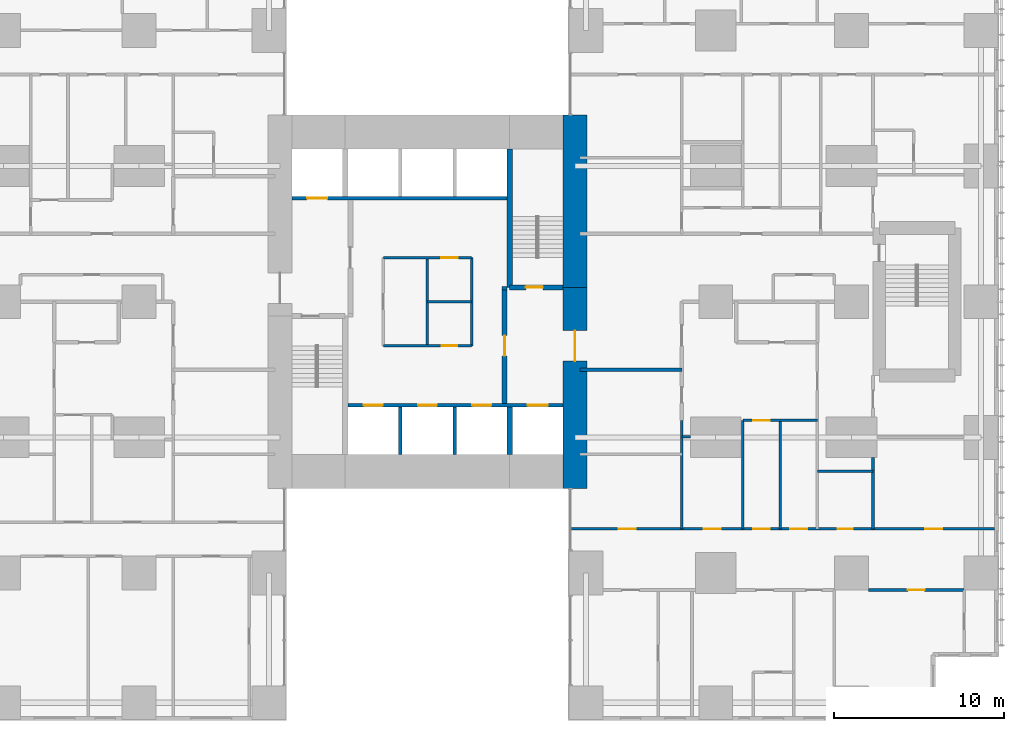
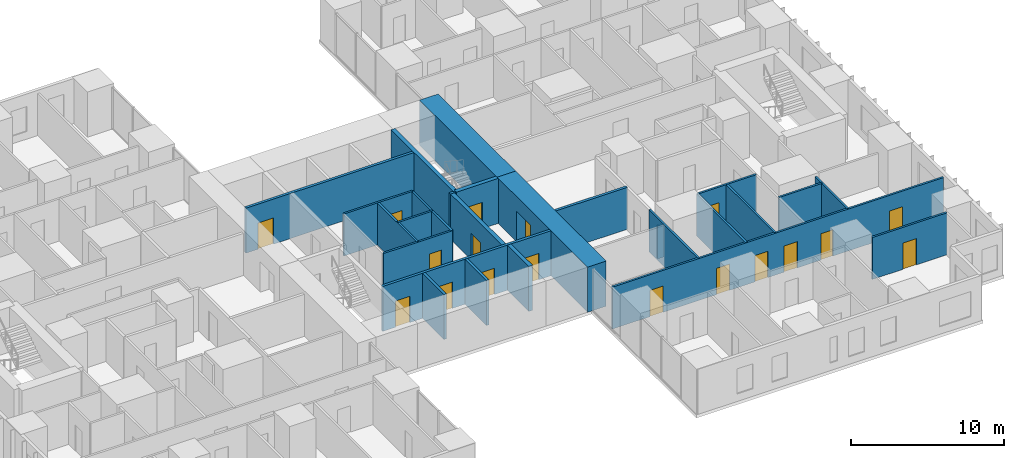
# One storey, part 15 of 20: 26 walls, 18 doors, 18 openings.
"""IFC4 building model written with IfcOpenShell, lengths in metres."""

from ifc_helpers import new_model, si_unit, direction, frame, frame_2d, origin, place, context, subcontext, project, spatial, rectangle, extrude, material, layer, layer_set, type_object, element, fill, save


model = new_model("IFC4")

# Units and contexts
model_context = context("Model", 3, precision=1e-05, world=origin(), true_north=direction((0.0, 1.0)))
body_context = subcontext(model_context, "Body", "Model", "MODEL_VIEW")
ifc_project = project(units=[si_unit("LENGTHUNIT", "METRE"), si_unit("AREAUNIT", "SQUARE_METRE"), si_unit("VOLUMEUNIT", "CUBIC_METRE"), si_unit("PLANEANGLEUNIT", "RADIAN"), si_unit("MASSUNIT", "GRAM", prefix="KILO")], contexts=[model_context])

# Site, building, storey
site_placement = place(None, origin())
site = spatial("IfcSite", under=ifc_project, at=site_placement, CompositionType="ELEMENT")
building_placement = place(site_placement, origin())
building = spatial("IfcBuilding", under=site, at=building_placement, Name="Cleftline Residences", CompositionType="ELEMENT")
storey_placement = place(building_placement, frame((0.0, 0.0, 72.800048828125)))
storey = spatial("IfcBuildingStorey", under=building, at=storey_placement, Name="L18", CompositionType="ELEMENT", Elevation=72.800048828125)

# Wall, opening, door
ifc_material_1 = material(Name="Concrete B70", Category="concrete")
ifc_layer_1 = layer(ifc_material_1, 1.39990234375)
ifc_layer_set_1 = layer_set([ifc_layer_1], Name="CORE WALL 1400")
wall_type_1 = type_object("IfcWallType", Name="CORE WALL 1400", PredefinedType="SHEAR", material=ifc_layer_set_1)
wall_1_placement = place(storey_placement, frame((41.699951171875, 13.0, 0.0), z_axis=(0.0, 0.0, 1.0), x_axis=(0.0, 1.0, 0.0)))
wall_1 = element("IfcWall", 1, at=wall_1_placement, inside=storey, type_object=wall_type_1, Name="Core wall E", PredefinedType="SHEAR", context=body_context, shape_type="SweptSolid", body=[
    extrude(rectangle(XDim=11.85009765625, YDim=1.39990234375, at=frame_2d((5.925048828125, 0.0))), origin(), (0.0, 0.0, 1.0), 3.599853515625),
])
opening_1_placement = place(wall_1_placement, frame((7.5, 0.0, 0.0)))
opening_1 = element("IfcOpeningElement", 2, at=opening_1_placement, cuts=wall_1, Name="Opening D7", PredefinedType="OPENING", context=body_context, shape_type="SweptSolid", body=[
    extrude(rectangle(XDim=1.800048828125, YDim=2.39990234375, at=frame_2d((0.89990234375, 1.199951171875))), frame((0.0, 0.7099609375, 0.0), z_axis=(0.0, -1.0, 0.0), x_axis=(1.0, 0.0, 0.0)), (0.0, 0.0, 1.0), 1.419921875),
])
ifc_material_2 = material(Name="Steel", Category="steel")
door_type_1 = type_object("IfcDoorType", Name="WING DOOR 1800X2400", OperationType="DOUBLE_DOOR_DOUBLE_SWING", PredefinedType="DOOR", material=ifc_material_2)
door_1_placement = place(opening_1_placement, origin())
door_1 = element("IfcDoor", 3, at=door_1_placement, inside=storey, type_object=door_type_1, Name="East wing door", OperationType="DOUBLE_DOOR_DOUBLE_SWING", OverallHeight=2.39990234375, OverallWidth=1.800048828125, PredefinedType="DOOR", context=body_context, shape_type="SweptSolid", body=[
    extrude(rectangle(XDim=1.800048828125, YDim=2.39990234375, at=frame_2d((0.89990234375, 1.199951171875))), frame((0.0, 0.02490234375, 0.0), z_axis=(0.0, -1.0, 0.0), x_axis=(1.0, 0.0, 0.0)), (0.0, 0.0, 1.0), 0.050048828125),
])
fill(opening_1, door_1)

# Walls
wall_2_placement = place(storey_placement, frame((41.699951171875, 24.85009765625, 0.0), z_axis=(0.0, 0.0, 1.0), x_axis=(0.0, 1.0, 0.0)))
element("IfcWall", 4, at=wall_2_placement, inside=storey, type_object=wall_type_1, Name="Core wall E1", PredefinedType="SHEAR", context=body_context, shape_type="SweptSolid", body=[
    extrude(rectangle(XDim=10.14990234375, YDim=1.39990234375, at=frame_2d((5.074951171875, 0.0))), origin(), (0.0, 0.0, 1.0), 3.599853515625),
])
ifc_material_3 = material(Name="Concrete B70", Category="concrete")
ifc_layer_2 = layer(ifc_material_3, 0.300048828125)
ifc_layer_set_2 = layer_set([ifc_layer_2], Name="CORE WALL 300")
wall_type_2 = type_object("IfcWallType", Name="CORE WALL 300", PredefinedType="SHEAR", material=ifc_layer_set_2)
wall_3_placement = place(storey_placement, frame((37.85009765625, 24.85009765625, 0.0), z_axis=(0.0, 0.0, 1.0), x_axis=(0.0, 1.0, 0.0)))
element("IfcWall", 5, at=wall_3_placement, inside=storey, type_object=wall_type_2, Name="Core wall SB-W", PredefinedType="SHEAR", context=body_context, shape_type="SweptSolid", body=[
    extrude(rectangle(XDim=8.14990234375, YDim=0.300048828125, at=frame_2d((4.074951171875, 0.0))), origin(), (0.0, 0.0, 1.0), 3.599853515625),
])

# Wall, opening, door
wall_4_placement = place(storey_placement, frame((37.85009765625, 24.85009765625, 0.0), z_axis=(0.0, 0.0, 1.0), x_axis=(1.0, 0.0, 0.0)))
wall_4 = element("IfcWall", 6, at=wall_4_placement, inside=storey, type_object=wall_type_2, Name="Core wall SB-S", PredefinedType="SHEAR", context=body_context, shape_type="SweptSolid", body=[
    extrude(rectangle(XDim=3.14990234375, YDim=0.300048828125, at=frame_2d((1.574951171875, 0.0))), origin(), (0.0, 0.0, 1.0), 3.599853515625),
])
opening_2_placement = place(wall_4_placement, frame((0.949951171875, 0.0, 0.0)))
opening_2 = element("IfcOpeningElement", 7, at=opening_2_placement, cuts=wall_4, Name="Opening D5", PredefinedType="OPENING", context=body_context, shape_type="SweptSolid", body=[
    extrude(rectangle(XDim=1.0, YDim=2.10009765625, at=frame_2d((0.5, 1.050048828125))), frame((0.0, 0.159912109375, 0.0), z_axis=(0.0, -1.0, 0.0), x_axis=(1.0, 0.0, 0.0)), (0.0, 0.0, 1.0), 0.320068359375),
])
ifc_material_4 = material(Name="Steel", Category="steel")
door_type_2 = type_object("IfcDoorType", Name="STAIR DOOR 1000X2100", OperationType="SINGLE_SWING_LEFT", PredefinedType="DOOR", material=ifc_material_4)
door_2_placement = place(opening_2_placement, origin())
door_2 = element("IfcDoor", 8, at=door_2_placement, inside=storey, type_object=door_type_2, Name="Stair B door", OperationType="SINGLE_SWING_RIGHT", OverallHeight=2.10009765625, OverallWidth=1.0, PredefinedType="DOOR", context=body_context, shape_type="SweptSolid", body=[
    extrude(rectangle(XDim=1.0, YDim=2.10009765625, at=frame_2d((0.5, 1.050048828125))), frame((0.0, 0.02490234375, 0.0), z_axis=(0.0, -1.0, 0.0), x_axis=(1.0, 0.0, 0.0)), (0.0, 0.0, 1.0), 0.050048828125),
])
fill(opening_2, door_2)

# Walls
wall_5_placement = place(storey_placement, frame((37.85009765625, 15.0, 0.0), z_axis=(0.0, 0.0, 1.0), x_axis=(0.0, 1.0, 0.0)))
element("IfcWall", 9, at=wall_5_placement, inside=storey, type_object=wall_type_2, Name="Lift shaft wall", PredefinedType="SHEAR", context=body_context, shape_type="SweptSolid", body=[
    extrude(rectangle(XDim=2.800048828125, YDim=0.300048828125, at=frame_2d((1.39990234375, 0.0))), origin(), (0.0, 0.0, 1.0), 3.599853515625),
])
ifc_material_5 = material(Name="Concrete blockwork, fire rated", Category="masonry")
ifc_layer_3 = layer(ifc_material_5, 0.199951171875)
ifc_layer_set_3 = layer_set([ifc_layer_3], Name="FIRE WALL 200")
wall_type_3 = type_object("IfcWallType", Name="FIRE WALL 200", PredefinedType="PARTITIONING", material=ifc_layer_set_3)
wall_6_placement = place(storey_placement, frame((42.0, 20.0, 0.0), z_axis=(0.0, 0.0, 1.0), x_axis=(1.0, 0.0, 0.0)))
element("IfcWall", 10, at=wall_6_placement, inside=storey, type_object=wall_type_3, Name="Fire separating wall", PredefinedType="PARTITIONING", context=body_context, shape_type="SweptSolid", body=[
    extrude(rectangle(XDim=6.0, YDim=0.199951171875, at=frame_2d((3.0, 0.0))), origin(), (0.0, 0.0, 1.0), 3.349853515625),
])
wall_7_placement = place(storey_placement, frame((37.39990234375, 24.800048828125, 0.0), z_axis=(0.0, 0.0, 1.0), x_axis=(1.0, 0.0, 0.0)))
element("IfcWall", 11, at=wall_7_placement, inside=storey, type_object=wall_type_3, Name="Fire separating wall", PredefinedType="PARTITIONING", context=body_context, shape_type="SweptSolid", body=[
    extrude(rectangle(XDim=0.300048828125, YDim=0.199951171875, at=frame_2d((0.14990234375, 0.0))), origin(), (0.0, 0.0, 1.0), 3.599853515625),
])

# Wall, opening, door
ifc_material_6 = material(Name="Gypsum board on steel studs", Category="steel")
ifc_layer_4 = layer(ifc_material_6, 0.14990234375)
ifc_layer_set_4 = layer_set([ifc_layer_4], Name="PARTITION 150")
wall_type_4 = type_object("IfcWallType", Name="PARTITION 150", PredefinedType="PARTITIONING", material=ifc_layer_set_4)
wall_8_placement = place(storey_placement, frame((59.0, 7.0, 0.0), z_axis=(0.0, 0.0, 1.0), x_axis=(1.0, 0.0, 0.0)))
wall_8 = element("IfcWall", 12, at=wall_8_placement, inside=storey, type_object=wall_type_4, Name="Partition", PredefinedType="PARTITIONING", context=body_context, shape_type="SweptSolid", body=[
    extrude(rectangle(XDim=5.64990234375, YDim=0.14990234375, at=frame_2d((2.824951171875, 0.0))), origin(), (0.0, 0.0, 1.0), 3.349853515625),
])
opening_3_placement = place(wall_8_placement, frame((2.324951171875, 0.0, 0.0)))
opening_3 = element("IfcOpeningElement", 13, at=opening_3_placement, cuts=wall_8, Name="Opening D2", PredefinedType="OPENING", context=body_context, shape_type="SweptSolid", body=[
    extrude(rectangle(XDim=1.0, YDim=2.10009765625, at=frame_2d((0.5, 1.050048828125))), frame((0.0, 0.0849609375, 0.0), z_axis=(0.0, -1.0, 0.0), x_axis=(1.0, 0.0, 0.0)), (0.0, 0.0, 1.0), 0.169921875),
])
ifc_material_7 = material(Name="Timber veneer on solid core", Category="wood")
door_type_3 = type_object("IfcDoorType", Name="DOOR 1000X2100", OperationType="SINGLE_SWING_LEFT", PredefinedType="DOOR", material=ifc_material_7)
door_3_placement = place(opening_3_placement, origin())
door_3 = element("IfcDoor", 14, at=door_3_placement, inside=storey, type_object=door_type_3, Name="Door to master bedroom", OperationType="SINGLE_SWING_LEFT", OverallHeight=2.10009765625, OverallWidth=1.0, PredefinedType="DOOR", context=body_context, shape_type="SweptSolid", body=[
    extrude(rectangle(XDim=1.0, YDim=2.10009765625, at=frame_2d((0.5, 1.050048828125))), frame((0.0, 0.02490234375, 0.0), z_axis=(0.0, -1.0, 0.0), x_axis=(1.0, 0.0, 0.0)), (0.0, 0.0, 1.0), 0.050048828125),
])
fill(opening_3, door_3)

# Wall, openings, doors
wall_9_placement = place(storey_placement, frame((41.43896484375, 10.60009765625, 0.0), z_axis=(0.0, 0.0, 1.0), x_axis=(1.0, 0.0, 0.0)))
wall_9 = element("IfcWall", 15, at=wall_9_placement, inside=storey, type_object=wall_type_4, Name="Partition", PredefinedType="PARTITIONING", context=body_context, shape_type="SweptSolid", body=[
    extrude(rectangle(XDim=25.010986328125, YDim=0.14990234375, at=frame_2d((12.50537109375, 0.0))), origin(), (0.0, 0.0, 1.0), 3.349853515625),
])
opening_4_placement = place(wall_9_placement, frame((10.760986328125, 0.0, 0.0)))
opening_4 = element("IfcOpeningElement", 16, at=opening_4_placement, cuts=wall_9, Name="Opening D2", PredefinedType="OPENING", context=body_context, shape_type="SweptSolid", body=[
    extrude(rectangle(XDim=1.0, YDim=2.10009765625, at=frame_2d((0.5, 1.050048828125))), frame((0.0, 0.0849609375, 0.0), z_axis=(0.0, -1.0, 0.0), x_axis=(1.0, 0.0, 0.0)), (0.0, 0.0, 1.0), 0.169921875),
])
opening_5_placement = place(wall_9_placement, frame((20.923583984375, 0.0, 0.0)))
opening_5 = element("IfcOpeningElement", 17, at=opening_5_placement, cuts=wall_9, Name="Opening D2", PredefinedType="OPENING", context=body_context, shape_type="SweptSolid", body=[
    extrude(rectangle(XDim=1.0, YDim=2.10009765625, at=frame_2d((0.5, 1.050048828125))), frame((0.0, 0.0849609375, 0.0), z_axis=(0.0, -1.0, 0.0), x_axis=(1.0, 0.0, 0.0)), (0.0, 0.0, 1.0), 0.169921875),
])
opening_6_placement = place(wall_9_placement, frame((15.74853515625, 0.0, 0.0)))
opening_6 = element("IfcOpeningElement", 18, at=opening_6_placement, cuts=wall_9, Name="Opening D1", PredefinedType="OPENING", context=body_context, shape_type="SweptSolid", body=[
    extrude(rectangle(XDim=0.89990234375, YDim=2.10009765625, at=frame_2d((0.449951171875, 1.050048828125))), frame((0.0, 0.0849609375, 0.0), z_axis=(0.0, -1.0, 0.0), x_axis=(1.0, 0.0, 0.0)), (0.0, 0.0, 1.0), 0.169921875),
])
opening_7_placement = place(wall_9_placement, frame((12.9609375, 0.0, 0.0)))
opening_7 = element("IfcOpeningElement", 19, at=opening_7_placement, cuts=wall_9, Name="Opening D2", PredefinedType="OPENING", context=body_context, shape_type="SweptSolid", body=[
    extrude(rectangle(XDim=1.0, YDim=2.10009765625, at=frame_2d((0.5, 1.050048828125))), frame((0.0, 0.0849609375, 0.0), z_axis=(0.0, -1.0, 0.0), x_axis=(1.0, 0.0, 0.0)), (0.0, 0.0, 1.0), 0.169921875),
])
opening_8_placement = place(wall_9_placement, frame((7.861083984375, 0.0, 0.0)))
opening_8 = element("IfcOpeningElement", 20, at=opening_8_placement, cuts=wall_9, Name="Opening D2", PredefinedType="OPENING", context=body_context, shape_type="SweptSolid", body=[
    extrude(rectangle(XDim=1.0, YDim=2.10009765625, at=frame_2d((0.5, 1.050048828125))), frame((0.0, 0.0849609375, 0.0), z_axis=(0.0, -1.0, 0.0), x_axis=(1.0, 0.0, 0.0)), (0.0, 0.0, 1.0), 0.169921875),
])
opening_9_placement = place(wall_9_placement, frame((2.8359375, 0.0, 0.0)))
opening_9 = element("IfcOpeningElement", 21, at=opening_9_placement, cuts=wall_9, Name="Opening D2", PredefinedType="OPENING", context=body_context, shape_type="SweptSolid", body=[
    extrude(rectangle(XDim=1.0, YDim=2.10009765625, at=frame_2d((0.5, 1.050048828125))), frame((0.0, 0.0849609375, 0.0), z_axis=(0.0, -1.0, 0.0), x_axis=(1.0, 0.0, 0.0)), (0.0, 0.0, 1.0), 0.169921875),
])
door_4_placement = place(opening_4_placement, origin())
door_4 = element("IfcDoor", 22, at=door_4_placement, inside=storey, type_object=door_type_3, Name="Door to residence hall", OperationType="SINGLE_SWING_RIGHT", OverallHeight=2.10009765625, OverallWidth=1.0, PredefinedType="DOOR", context=body_context, shape_type="SweptSolid", body=[
    extrude(rectangle(XDim=1.0, YDim=2.10009765625, at=frame_2d((0.5, 1.050048828125))), frame((0.0, 0.02490234375, 0.0), z_axis=(0.0, -1.0, 0.0), x_axis=(1.0, 0.0, 0.0)), (0.0, 0.0, 1.0), 0.050048828125),
])
fill(opening_4, door_4)
door_5_placement = place(opening_5_placement, origin())
door_5 = element("IfcDoor", 23, at=door_5_placement, inside=storey, type_object=door_type_3, Name="Door to sea-view living room", OperationType="SINGLE_SWING_LEFT", OverallHeight=2.10009765625, OverallWidth=1.0, PredefinedType="DOOR", context=body_context, shape_type="SweptSolid", body=[
    extrude(rectangle(XDim=1.0, YDim=2.10009765625, at=frame_2d((0.5, 1.050048828125))), frame((0.0, 0.02490234375, 0.0), z_axis=(0.0, -1.0, 0.0), x_axis=(1.0, 0.0, 0.0)), (0.0, 0.0, 1.0), 0.050048828125),
])
fill(opening_5, door_5)
door_6_placement = place(opening_7_placement, origin())
door_6 = element("IfcDoor", 24, at=door_6_placement, inside=storey, type_object=door_type_3, Name="Door to show kitchen", OperationType="SINGLE_SWING_LEFT", OverallHeight=2.10009765625, OverallWidth=1.0, PredefinedType="DOOR", context=body_context, shape_type="SweptSolid", body=[
    extrude(rectangle(XDim=1.0, YDim=2.10009765625, at=frame_2d((0.5, 1.050048828125))), frame((0.0, 0.02490234375, 0.0), z_axis=(0.0, -1.0, 0.0), x_axis=(1.0, 0.0, 0.0)), (0.0, 0.0, 1.0), 0.050048828125),
])
fill(opening_7, door_6)
door_7_placement = place(opening_8_placement, origin())
door_7 = element("IfcDoor", 25, at=door_7_placement, inside=storey, type_object=door_type_3, Name="Door to wet kitchen", OperationType="SINGLE_SWING_RIGHT", OverallHeight=2.10009765625, OverallWidth=1.0, PredefinedType="DOOR", context=body_context, shape_type="SweptSolid", body=[
    extrude(rectangle(XDim=1.0, YDim=2.10009765625, at=frame_2d((0.5, 1.050048828125))), frame((0.0, 0.02490234375, 0.0), z_axis=(0.0, -1.0, 0.0), x_axis=(1.0, 0.0, 0.0)), (0.0, 0.0, 1.0), 0.050048828125),
])
fill(opening_8, door_7)
door_8_placement = place(opening_9_placement, origin())
door_8 = element("IfcDoor", 26, at=door_8_placement, inside=storey, type_object=door_type_3, Name="Door to study", OperationType="SINGLE_SWING_RIGHT", OverallHeight=2.10009765625, OverallWidth=1.0, PredefinedType="DOOR", context=body_context, shape_type="SweptSolid", body=[
    extrude(rectangle(XDim=1.0, YDim=2.10009765625, at=frame_2d((0.5, 1.050048828125))), frame((0.0, 0.02490234375, 0.0), z_axis=(0.0, -1.0, 0.0), x_axis=(1.0, 0.0, 0.0)), (0.0, 0.0, 1.0), 0.050048828125),
])
fill(opening_9, door_8)
ifc_material_8 = material(Name="Timber veneer on solid core", Category="wood")
door_type_4 = type_object("IfcDoorType", Name="DOOR 900X2100", OperationType="SINGLE_SWING_LEFT", PredefinedType="DOOR", material=ifc_material_8)
door_9_placement = place(opening_6_placement, origin())
door_9 = element("IfcDoor", 27, at=door_9_placement, inside=storey, type_object=door_type_4, Name="Door to master bathroom", OperationType="SINGLE_SWING_LEFT", OverallHeight=2.10009765625, OverallWidth=0.89990234375, PredefinedType="DOOR", context=body_context, shape_type="SweptSolid", body=[
    extrude(rectangle(XDim=0.89990234375, YDim=2.10009765625, at=frame_2d((0.449951171875, 1.050048828125))), frame((0.0, 0.02490234375, 0.0), z_axis=(0.0, -1.0, 0.0), x_axis=(1.0, 0.0, 0.0)), (0.0, 0.0, 1.0), 0.050048828125),
])
fill(opening_6, door_9)

# Walls
wall_10_placement = place(storey_placement, frame((56.0, 14.0, 0.0), z_axis=(0.0, 0.0, 1.0), x_axis=(1.0, 0.0, 0.0)))
element("IfcWall", 28, at=wall_10_placement, inside=storey, type_object=wall_type_4, Name="Partition", PredefinedType="PARTITIONING", context=body_context, shape_type="SweptSolid", body=[
    extrude(rectangle(XDim=3.27490234375, YDim=0.14990234375, at=frame_2d((1.637451171875, 0.0))), origin(), (0.0, 0.0, 1.0), 3.349853515625),
])
wall_11_placement = place(storey_placement, frame((48.0, 16.050048828125, 0.0), z_axis=(0.0, 0.0, 1.0), x_axis=(1.0, 0.0, 0.0)))
element("IfcWall", 29, at=wall_11_placement, inside=storey, type_object=wall_type_4, Name="Partition", PredefinedType="PARTITIONING", context=body_context, shape_type="SweptSolid", body=[
    extrude(rectangle(XDim=0.5, YDim=0.14990234375, at=frame_2d((0.25, 0.0))), origin(), (0.0, 0.0, 1.0), 2.634033203125),
])

# Wall, opening, door
wall_12_placement = place(storey_placement, frame((51.60009765625, 17.0, 0.0), z_axis=(0.0, 0.0, 1.0), x_axis=(1.0, 0.0, 0.0)))
wall_12 = element("IfcWall", 30, at=wall_12_placement, inside=storey, type_object=wall_type_4, Name="Partition", PredefinedType="PARTITIONING", context=body_context, shape_type="SweptSolid", body=[
    extrude(rectangle(XDim=4.39990234375, YDim=0.14990234375, at=frame_2d((2.199951171875, 0.0))), origin(), (0.0, 0.0, 1.0), 3.349853515625),
])
opening_10_placement = place(wall_12_placement, frame((0.60009765625, 0.0, 0.0)))
opening_10 = element("IfcOpeningElement", 31, at=opening_10_placement, cuts=wall_12, Name="Opening D2", PredefinedType="OPENING", context=body_context, shape_type="SweptSolid", body=[
    extrude(rectangle(XDim=1.0, YDim=2.10009765625, at=frame_2d((0.5, 1.050048828125))), frame((0.0, 0.0849609375, 0.0), z_axis=(0.0, -1.0, 0.0), x_axis=(1.0, 0.0, 0.0)), (0.0, 0.0, 1.0), 0.169921875),
])
door_10_placement = place(opening_10_placement, origin())
door_10 = element("IfcDoor", 32, at=door_10_placement, inside=storey, type_object=door_type_3, Name="Door to residence passage", OperationType="SINGLE_SWING_RIGHT", OverallHeight=2.10009765625, OverallWidth=1.0, PredefinedType="DOOR", context=body_context, shape_type="SweptSolid", body=[
    extrude(rectangle(XDim=1.0, YDim=2.10009765625, at=frame_2d((0.5, 1.050048828125))), frame((0.0, 0.02490234375, 0.0), z_axis=(0.0, -1.0, 0.0), x_axis=(1.0, 0.0, 0.0)), (0.0, 0.0, 1.0), 0.050048828125),
])
fill(opening_10, door_10)

# Walls
for number, where, z_axis, x_axis, name in (
    (33, (48.0, 10.60009765625, 0.0), (0.0, 0.0, 1.0), (0.0, 1.0, 0.0), "Partition"),
    (34, (51.60009765625, 10.60009765625, 0.0), (0.0, 0.0, 1.0), (0.0, 1.0, 0.0), "Partition"),
    (35, (53.800048828125, 10.60009765625, 0.0), (0.0, 0.0, 1.0), (0.0, 1.0, 0.0), "Partition"),
):
    element("IfcWall", number, at=place(storey_placement, frame(where, z_axis=z_axis, x_axis=x_axis)), inside=storey, type_object=wall_type_4, Name=name, PredefinedType="PARTITIONING", context=body_context, shape_type="SweptSolid", body=[
        extrude(rectangle(XDim=6.39990234375, YDim=0.14990234375, at=frame_2d((3.199951171875, 0.0))), origin(), (0.0, 0.0, 1.0), 3.349853515625),
    ])
wall_13_placement = place(storey_placement, frame((59.27490234375, 10.60009765625, 0.0), z_axis=(0.0, 0.0, 1.0), x_axis=(0.0, 1.0, 0.0)))
element("IfcWall", 36, at=wall_13_placement, inside=storey, type_object=wall_type_4, Name="Partition", PredefinedType="PARTITIONING", context=body_context, shape_type="SweptSolid", body=[
    extrude(rectangle(XDim=4.199951171875, YDim=0.14990234375, at=frame_2d((2.10009765625, 0.0))), origin(), (0.0, 0.0, 1.0), 3.349853515625),
])

# Wall, opening, door
ifc_material_9 = material(Name="Fire-resisting gypsum board on steel studs", Category="steel")
ifc_layer_5 = layer(ifc_material_9, 0.14990234375)
ifc_layer_set_5 = layer_set([ifc_layer_5], Name="PARTITION 150 EI 60")
wall_type_5 = type_object("IfcWallType", Name="PARTITION 150 EI 60", PredefinedType="PARTITIONING", material=ifc_layer_set_5)
wall_14_placement = place(storey_placement, frame((30.39990234375, 21.39990234375, 0.0), z_axis=(0.0, 0.0, 1.0), x_axis=(1.0, 0.0, 0.0)))
wall_14 = element("IfcWall", 37, at=wall_14_placement, inside=storey, type_object=wall_type_5, Name="Core room partition", PredefinedType="PARTITIONING", context=body_context, shape_type="SweptSolid", body=[
    extrude(rectangle(XDim=5.2001953125, YDim=0.14990234375, at=frame_2d((2.60009765625, 0.0))), origin(), (0.0, 0.0, 1.0), 3.349853515625),
])
opening_11_placement = place(wall_14_placement, frame((3.449951171875, 0.0, 0.0)))
opening_11 = element("IfcOpeningElement", 38, at=opening_11_placement, cuts=wall_14, Name="Opening D1F30", PredefinedType="OPENING", context=body_context, shape_type="SweptSolid", body=[
    extrude(rectangle(XDim=0.89990234375, YDim=2.10009765625, at=frame_2d((0.449951171875, 1.050048828125))), frame((0.0, 0.0849609375, 0.0), z_axis=(0.0, -1.0, 0.0), x_axis=(1.0, 0.0, 0.0)), (0.0, 0.0, 1.0), 0.169921875),
])
ifc_material_10 = material(Name="Timber veneer on solid core", Category="wood")
door_type_5 = type_object("IfcDoorType", Name="DOOR 900X2100 EI 30", OperationType="SINGLE_SWING_LEFT", PredefinedType="DOOR", material=ifc_material_10)
door_11_placement = place(opening_11_placement, origin())
door_11 = element("IfcDoor", 39, at=door_11_placement, inside=storey, type_object=door_type_5, Name="Door to guest pantry", OperationType="SINGLE_SWING_LEFT", OverallHeight=2.10009765625, OverallWidth=0.89990234375, PredefinedType="DOOR", context=body_context, shape_type="SweptSolid", body=[
    extrude(rectangle(XDim=0.89990234375, YDim=2.10009765625, at=frame_2d((0.449951171875, 1.050048828125))), frame((0.0, 0.02490234375, 0.0), z_axis=(0.0, -1.0, 0.0), x_axis=(1.0, 0.0, 0.0)), (0.0, 0.0, 1.0), 0.050048828125),
])
fill(opening_11, door_11)

wall_15_placement = place(storey_placement, frame((30.39990234375, 26.60009765625, 0.0), z_axis=(0.0, 0.0, 1.0), x_axis=(1.0, 0.0, 0.0)))
wall_15 = element("IfcWall", 40, at=wall_15_placement, inside=storey, type_object=wall_type_5, Name="Core room partition", PredefinedType="PARTITIONING", context=body_context, shape_type="SweptSolid", body=[
    extrude(rectangle(XDim=5.2001953125, YDim=0.14990234375, at=frame_2d((2.60009765625, 0.0))), origin(), (0.0, 0.0, 1.0), 3.349853515625),
])
opening_12_placement = place(wall_15_placement, frame((3.39990234375, 0.0, 0.0)))
opening_12 = element("IfcOpeningElement", 41, at=opening_12_placement, cuts=wall_15, Name="Opening D2F60", PredefinedType="OPENING", context=body_context, shape_type="SweptSolid", body=[
    extrude(rectangle(XDim=1.0, YDim=2.10009765625, at=frame_2d((0.5, 1.050048828125))), frame((0.0, 0.0849609375, 0.0), z_axis=(0.0, -1.0, 0.0), x_axis=(1.0, 0.0, 0.0)), (0.0, 0.0, 1.0), 0.169921875),
])
ifc_material_11 = material(Name="Timber veneer on solid core", Category="wood")
door_type_6 = type_object("IfcDoorType", Name="DOOR 1000X2100 EI 60", OperationType="SINGLE_SWING_LEFT", PredefinedType="DOOR", material=ifc_material_11)
door_12_placement = place(opening_12_placement, origin())
door_12 = element("IfcDoor", 42, at=door_12_placement, inside=storey, type_object=door_type_6, Name="Door to communications room", OperationType="SINGLE_SWING_LEFT", OverallHeight=2.10009765625, OverallWidth=1.0, PredefinedType="DOOR", context=body_context, shape_type="SweptSolid", body=[
    extrude(rectangle(XDim=1.0, YDim=2.10009765625, at=frame_2d((0.5, 1.050048828125))), frame((0.0, 0.02490234375, 0.0), z_axis=(0.0, -1.0, 0.0), x_axis=(1.0, 0.0, 0.0)), (0.0, 0.0, 1.0), 0.050048828125),
])
fill(opening_12, door_12)

# Walls
wall_16_placement = place(storey_placement, frame((35.60009765625, 21.39990234375, 0.0), z_axis=(0.0, 0.0, 1.0), x_axis=(0.0, 1.0, 0.0)))
element("IfcWall", 43, at=wall_16_placement, inside=storey, type_object=wall_type_5, Name="Core room partition", PredefinedType="PARTITIONING", context=body_context, shape_type="SweptSolid", body=[
    extrude(rectangle(XDim=5.2001953125, YDim=0.14990234375, at=frame_2d((2.60009765625, 0.0))), origin(), (0.0, 0.0, 1.0), 3.349853515625),
])
wall_17_placement = place(storey_placement, frame((33.0, 24.0, 0.0), z_axis=(0.0, 0.0, 1.0), x_axis=(1.0, 0.0, 0.0)))
element("IfcWall", 44, at=wall_17_placement, inside=storey, type_object=wall_type_5, Name="Core room partition", PredefinedType="PARTITIONING", context=body_context, shape_type="SweptSolid", body=[
    extrude(rectangle(XDim=2.60009765625, YDim=0.14990234375, at=frame_2d((1.300048828125, 0.0))), origin(), (0.0, 0.0, 1.0), 3.349853515625),
])
wall_18_placement = place(storey_placement, frame((33.0, 21.39990234375, 0.0), z_axis=(0.0, 0.0, 1.0), x_axis=(0.0, 1.0, 0.0)))
element("IfcWall", 45, at=wall_18_placement, inside=storey, type_object=wall_type_5, Name="Core room partition", PredefinedType="PARTITIONING", context=body_context, shape_type="SweptSolid", body=[
    extrude(rectangle(XDim=5.2001953125, YDim=0.14990234375, at=frame_2d((2.60009765625, 0.0))), origin(), (0.0, 0.0, 1.0), 3.349853515625),
])

# Wall, openings, doors
ifc_material_12 = material(Name="Concrete blockwork, fire rated", Category="masonry")
ifc_layer_6 = layer(ifc_material_12, 0.199951171875)
ifc_layer_set_6 = layer_set([ifc_layer_6], Name="SHAFT WALL 200")
wall_type_6 = type_object("IfcWallType", Name="SHAFT WALL 200", PredefinedType="PARTITIONING", material=ifc_layer_set_6)
wall_19_placement = place(storey_placement, frame((28.300048828125, 17.89990234375, 0.0), z_axis=(0.0, 0.0, 1.0), x_axis=(1.0, 0.0, 0.0)))
wall_19 = element("IfcWall", 46, at=wall_19_placement, inside=storey, type_object=wall_type_6, Name="Lift shaft wall", PredefinedType="PARTITIONING", context=body_context, shape_type="SweptSolid", body=[
    extrude(rectangle(XDim=12.699951171875, YDim=0.199951171875, at=frame_2d((6.35009765625, 0.0))), origin(), (0.0, 0.0, 1.0), 3.599853515625),
])
opening_13_placement = place(wall_19_placement, frame((0.949951171875, 0.0, 0.0)))
opening_13 = element("IfcOpeningElement", 47, at=opening_13_placement, cuts=wall_19, Name="Opening LD1", PredefinedType="OPENING", context=body_context, shape_type="SweptSolid", body=[
    extrude(rectangle(XDim=1.10009765625, YDim=2.10009765625, at=frame_2d((0.550048828125, 1.050048828125))), frame((0.0, 0.10986328125, 0.0), z_axis=(0.0, -1.0, 0.0), x_axis=(1.0, 0.0, 0.0)), (0.0, 0.0, 1.0), 0.219970703125),
])
opening_14_placement = place(wall_19_placement, frame((4.14990234375, 0.0, 0.0)))
opening_14 = element("IfcOpeningElement", 48, at=opening_14_placement, cuts=wall_19, Name="Opening LD1", PredefinedType="OPENING", context=body_context, shape_type="SweptSolid", body=[
    extrude(rectangle(XDim=1.10009765625, YDim=2.10009765625, at=frame_2d((0.550048828125, 1.050048828125))), frame((0.0, 0.10986328125, 0.0), z_axis=(0.0, -1.0, 0.0), x_axis=(1.0, 0.0, 0.0)), (0.0, 0.0, 1.0), 0.219970703125),
])
opening_15_placement = place(wall_19_placement, frame((7.35009765625, 0.0, 0.0)))
opening_15 = element("IfcOpeningElement", 49, at=opening_15_placement, cuts=wall_19, Name="Opening LD1", PredefinedType="OPENING", context=body_context, shape_type="SweptSolid", body=[
    extrude(rectangle(XDim=1.10009765625, YDim=2.10009765625, at=frame_2d((0.550048828125, 1.050048828125))), frame((0.0, 0.10986328125, 0.0), z_axis=(0.0, -1.0, 0.0), x_axis=(1.0, 0.0, 0.0)), (0.0, 0.0, 1.0), 0.219970703125),
])
opening_16_placement = place(wall_19_placement, frame((10.60009765625, 0.0, 0.0)))
opening_16 = element("IfcOpeningElement", 50, at=opening_16_placement, cuts=wall_19, Name="Opening LD2", PredefinedType="OPENING", context=body_context, shape_type="SweptSolid", body=[
    extrude(rectangle(XDim=1.199951171875, YDim=2.10009765625, at=frame_2d((0.60009765625, 1.050048828125))), frame((0.0, 0.10986328125, 0.0), z_axis=(0.0, -1.0, 0.0), x_axis=(1.0, 0.0, 0.0)), (0.0, 0.0, 1.0), 0.219970703125),
])
ifc_material_13 = material(Name="Steel", Category="steel")
door_type_7 = type_object("IfcDoorType", Name="FIREFIGHTING LIFT LANDING DOOR 1200X2100", OperationType="SLIDING_TO_LEFT", PredefinedType="DOOR", material=ifc_material_13)
door_13_placement = place(opening_16_placement, origin())
door_13 = element("IfcDoor", 51, at=door_13_placement, inside=storey, type_object=door_type_7, Name="Lift FL2 landing door", OperationType="SLIDING_TO_LEFT", OverallHeight=2.10009765625, OverallWidth=1.199951171875, PredefinedType="DOOR", context=body_context, shape_type="SweptSolid", body=[
    extrude(rectangle(XDim=1.199951171875, YDim=2.10009765625, at=frame_2d((0.60009765625, 1.050048828125))), frame((0.0, 0.02490234375, 0.0), z_axis=(0.0, -1.0, 0.0), x_axis=(1.0, 0.0, 0.0)), (0.0, 0.0, 1.0), 0.050048828125),
])
fill(opening_16, door_13)
ifc_material_14 = material(Name="Steel", Category="steel")
door_type_8 = type_object("IfcDoorType", Name="LIFT LANDING DOOR 1100X2100", OperationType="SLIDING_TO_LEFT", PredefinedType="DOOR", material=ifc_material_14)
door_14_placement = place(opening_13_placement, origin())
door_14 = element("IfcDoor", 52, at=door_14_placement, inside=storey, type_object=door_type_8, Name="Lift P1 landing door", OperationType="SLIDING_TO_LEFT", OverallHeight=2.10009765625, OverallWidth=1.10009765625, PredefinedType="DOOR", context=body_context, shape_type="SweptSolid", body=[
    extrude(rectangle(XDim=1.10009765625, YDim=2.10009765625, at=frame_2d((0.550048828125, 1.050048828125))), frame((0.0, 0.02490234375, 0.0), z_axis=(0.0, -1.0, 0.0), x_axis=(1.0, 0.0, 0.0)), (0.0, 0.0, 1.0), 0.050048828125),
])
fill(opening_13, door_14)
door_15_placement = place(opening_14_placement, origin())
door_15 = element("IfcDoor", 53, at=door_15_placement, inside=storey, type_object=door_type_8, Name="Lift P2 landing door", OperationType="SLIDING_TO_LEFT", OverallHeight=2.10009765625, OverallWidth=1.10009765625, PredefinedType="DOOR", context=body_context, shape_type="SweptSolid", body=[
    extrude(rectangle(XDim=1.10009765625, YDim=2.10009765625, at=frame_2d((0.550048828125, 1.050048828125))), frame((0.0, 0.02490234375, 0.0), z_axis=(0.0, -1.0, 0.0), x_axis=(1.0, 0.0, 0.0)), (0.0, 0.0, 1.0), 0.050048828125),
])
fill(opening_14, door_15)
door_16_placement = place(opening_15_placement, origin())
door_16 = element("IfcDoor", 54, at=door_16_placement, inside=storey, type_object=door_type_8, Name="Lift P3 landing door", OperationType="SLIDING_TO_LEFT", OverallHeight=2.10009765625, OverallWidth=1.10009765625, PredefinedType="DOOR", context=body_context, shape_type="SweptSolid", body=[
    extrude(rectangle(XDim=1.10009765625, YDim=2.10009765625, at=frame_2d((0.550048828125, 1.050048828125))), frame((0.0, 0.02490234375, 0.0), z_axis=(0.0, -1.0, 0.0), x_axis=(1.0, 0.0, 0.0)), (0.0, 0.0, 1.0), 0.050048828125),
])
fill(opening_15, door_16)

# Wall, opening, door
wall_20_placement = place(storey_placement, frame((25.0, 30.10009765625, 0.0), z_axis=(0.0, 0.0, 1.0), x_axis=(1.0, 0.0, 0.0)))
wall_20 = element("IfcWall", 55, at=wall_20_placement, inside=storey, type_object=wall_type_6, Name="Lift shaft wall", PredefinedType="PARTITIONING", context=body_context, shape_type="SweptSolid", body=[
    extrude(rectangle(XDim=12.699951171875, YDim=0.199951171875, at=frame_2d((6.35009765625, 0.0))), origin(), (0.0, 0.0, 1.0), 3.599853515625),
])
opening_17_placement = place(wall_20_placement, frame((0.89990234375, 0.0, 0.0)))
opening_17 = element("IfcOpeningElement", 56, at=opening_17_placement, cuts=wall_20, Name="Opening LD2", PredefinedType="OPENING", context=body_context, shape_type="SweptSolid", body=[
    extrude(rectangle(XDim=1.199951171875, YDim=2.10009765625, at=frame_2d((0.60009765625, 1.050048828125))), frame((0.0, 0.10986328125, 0.0), z_axis=(0.0, -1.0, 0.0), x_axis=(1.0, 0.0, 0.0)), (0.0, 0.0, 1.0), 0.219970703125),
])
door_17_placement = place(opening_17_placement, origin())
door_17 = element("IfcDoor", 57, at=door_17_placement, inside=storey, type_object=door_type_7, Name="Lift FL1 landing door", OperationType="SLIDING_TO_LEFT", OverallHeight=2.10009765625, OverallWidth=1.199951171875, PredefinedType="DOOR", context=body_context, shape_type="SweptSolid", body=[
    extrude(rectangle(XDim=1.199951171875, YDim=2.10009765625, at=frame_2d((0.60009765625, 1.050048828125))), frame((0.0, 0.02490234375, 0.0), z_axis=(0.0, -1.0, 0.0), x_axis=(1.0, 0.0, 0.0)), (0.0, 0.0, 1.0), 0.050048828125),
])
fill(opening_17, door_17)

# Walls
for number, where, z_axis, x_axis, name in (
    (58, (31.39990234375, 15.0, 0.0), (0.0, 0.0, 1.0), (0.0, 1.0, 0.0), "Lift shaft wall"),
    (59, (34.60009765625, 15.0, 0.0), (0.0, 0.0, 1.0), (0.0, 1.0, 0.0), "Lift shaft wall"),
):
    element("IfcWall", number, at=place(storey_placement, frame(where, z_axis=z_axis, x_axis=x_axis)), inside=storey, type_object=wall_type_6, Name=name, PredefinedType="PARTITIONING", context=body_context, shape_type="SweptSolid", body=[
        extrude(rectangle(XDim=2.800048828125, YDim=0.199951171875, at=frame_2d((1.39990234375, 0.0))), origin(), (0.0, 0.0, 1.0), 3.599853515625),
    ])

# Wall, opening, door
ifc_material_15 = material(Name="Concrete blockwork, fire rated", Category="masonry")
ifc_layer_7 = layer(ifc_material_15, 0.300048828125)
ifc_layer_set_7 = layer_set([ifc_layer_7], Name="STAIR LOBBY WALL 300")
wall_type_7 = type_object("IfcWallType", Name="STAIR LOBBY WALL 300", PredefinedType="PARTITIONING", material=ifc_layer_set_7)
wall_21_placement = place(storey_placement, frame((37.550048828125, 18.0, 0.0), z_axis=(0.0, 0.0, 1.0), x_axis=(0.0, 1.0, 0.0)))
wall_21 = element("IfcWall", 60, at=wall_21_placement, inside=storey, type_object=wall_type_7, Name="Stair and lobby wall FB-W", PredefinedType="PARTITIONING", context=body_context, shape_type="SweptSolid", body=[
    extrude(rectangle(XDim=6.699951171875, YDim=0.300048828125, at=frame_2d((3.35009765625, 0.0))), origin(), (0.0, 0.0, 1.0), 3.599853515625),
])
opening_18_placement = place(wall_21_placement, frame((2.800048828125, 0.0, 0.0)))
opening_18 = element("IfcOpeningElement", 61, at=opening_18_placement, cuts=wall_21, Name="Opening D6", PredefinedType="OPENING", context=body_context, shape_type="SweptSolid", body=[
    extrude(rectangle(XDim=1.199951171875, YDim=2.10009765625, at=frame_2d((0.60009765625, 1.050048828125))), frame((0.0, 0.159912109375, 0.0), z_axis=(0.0, -1.0, 0.0), x_axis=(1.0, 0.0, 0.0)), (0.0, 0.0, 1.0), 0.320068359375),
])
ifc_material_16 = material(Name="Steel", Category="steel")
door_type_9 = type_object("IfcDoorType", Name="LOBBY DOOR 1200X2100", OperationType="SINGLE_SWING_RIGHT", PredefinedType="DOOR", material=ifc_material_16)
door_18_placement = place(opening_18_placement, origin())
door_18 = element("IfcDoor", 62, at=door_18_placement, inside=storey, type_object=door_type_9, Name="Firefighting lobby B door", OperationType="SINGLE_SWING_LEFT", OverallHeight=2.10009765625, OverallWidth=1.199951171875, PredefinedType="DOOR", context=body_context, shape_type="SweptSolid", body=[
    extrude(rectangle(XDim=1.199951171875, YDim=2.10009765625, at=frame_2d((0.60009765625, 1.050048828125))), frame((0.0, 0.02490234375, 0.0), z_axis=(0.0, -1.0, 0.0), x_axis=(1.0, 0.0, 0.0)), (0.0, 0.0, 1.0), 0.050048828125),
])
fill(opening_18, door_18)

save(model, "model.ifc")
